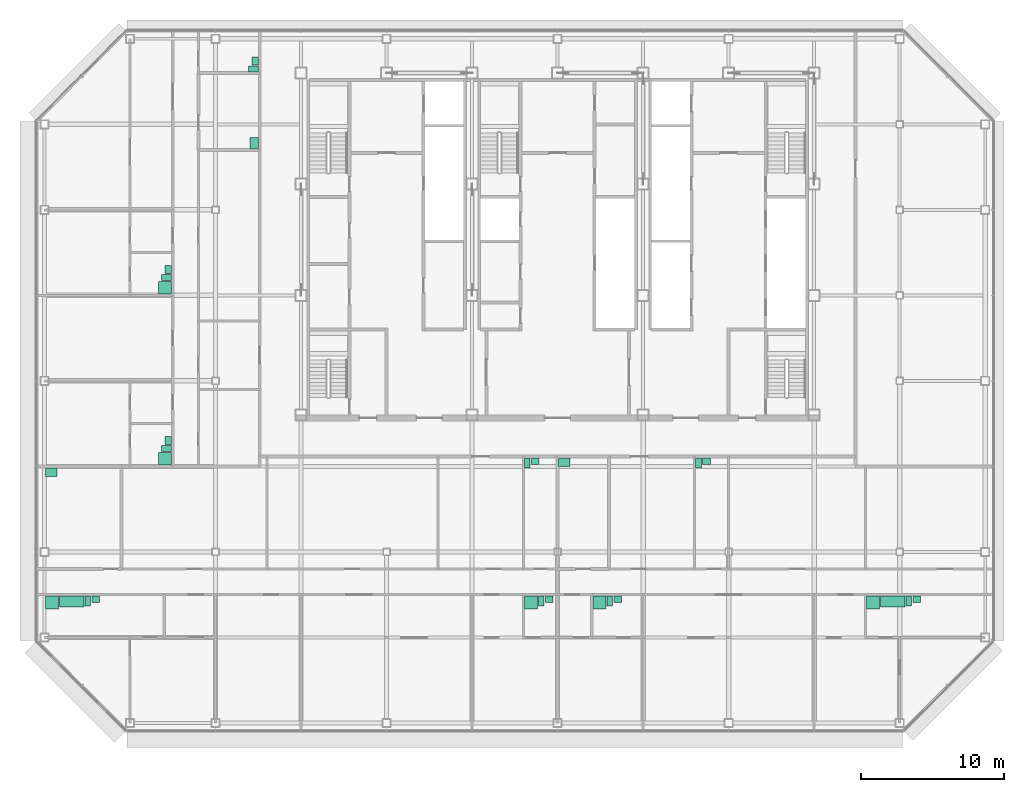
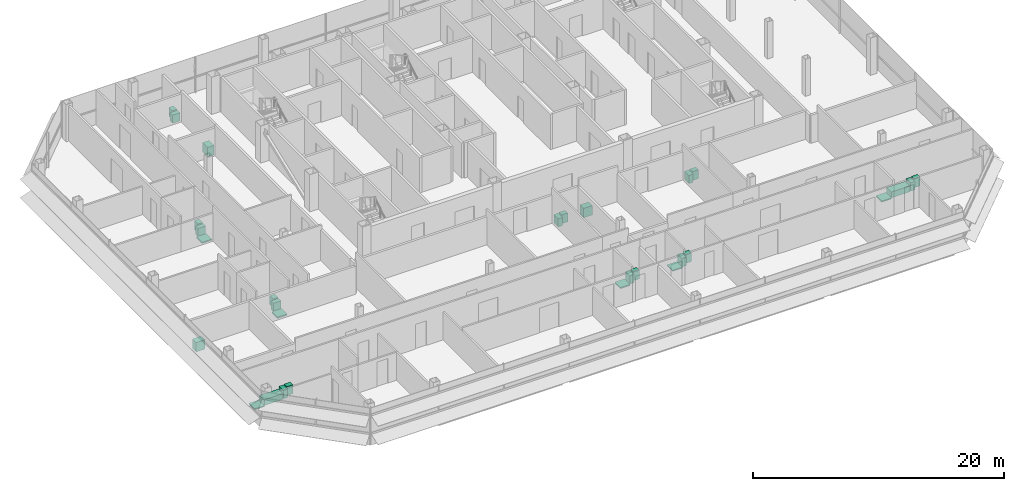
# One storey, part 28 of 28: 29 sanitary terminals.
"""IFC4 building model written with IfcOpenShell, lengths in metres."""

from ifc_helpers import new_model, si_unit, direction, frame, origin, origin_2d, place, context, subcontext, project, spatial, rectangle, extrude, element, save


model = new_model("IFC4")

# Units and contexts
model_context = context("Model", 3, precision=1e-05, world=origin(), true_north=direction((0.0, 1.0)))
body_context = subcontext(model_context, "Body", "Model", "MODEL_VIEW")
ifc_project = project(units=[si_unit("LENGTHUNIT", "METRE"), si_unit("AREAUNIT", "SQUARE_METRE"), si_unit("VOLUMEUNIT", "CUBIC_METRE"), si_unit("PLANEANGLEUNIT", "RADIAN"), si_unit("MASSUNIT", "GRAM", prefix="KILO")], contexts=[model_context])

# Site, building, storey
site_placement = place(None, origin())
site = spatial("IfcSite", under=ifc_project, at=site_placement, CompositionType="ELEMENT")
building_placement = place(site_placement, origin())
building = spatial("IfcBuilding", under=site, at=building_placement, Name="Sorahane Residences", CompositionType="ELEMENT")
storey_placement = place(building_placement, frame((0.0, 0.0, 270.199951171875)))
storey = spatial("IfcBuildingStorey", under=building, at=storey_placement, Name="L64", CompositionType="ELEMENT", Elevation=270.199951171875)

# Sanitary terminals
sanitary_terminal_1_placement = place(storey_placement, frame((-11.469970703125, 8.449951171875, 0.0), z_axis=(0.0, 0.0, 1.0), x_axis=(1.0, 0.0, 0.0)))
element("IfcSanitaryTerminal", 1, at=sanitary_terminal_1_placement, inside=storey, Name="Shower tray En-suite bathroom 64A", PredefinedType="SHOWER", context=body_context, shape_type="SweptSolid", body=[
    extrude(rectangle(XDim=0.89990234375, YDim=0.89990234375, at=origin_2d()), origin(), (0.0, 0.0, 1.0), 0.1201171875),
])
sanitary_terminal_2_placement = place(storey_placement, frame((-10.090087890625, 8.52490234375, 0.0), z_axis=(0.0, 0.0, 1.0), x_axis=(1.0, 0.0, 0.0)))
element("IfcSanitaryTerminal", 2, at=sanitary_terminal_2_placement, inside=storey, Name="Bath En-suite bathroom 64A", PredefinedType="BATH", context=body_context, shape_type="SweptSolid", body=[
    extrude(rectangle(XDim=1.699951171875, YDim=0.75, at=origin_2d()), origin(), (0.0, 0.0, 1.0), 0.56005859375),
])
sanitary_terminal_3_placement = place(storey_placement, frame((-8.9599609375, 8.550048828125, 0.0), z_axis=(0.0, 0.0, 1.0), x_axis=(1.0, 0.0, 0.0)))
element("IfcSanitaryTerminal", 3, at=sanitary_terminal_3_placement, inside=storey, Name="WC pan En-suite bathroom 64A", PredefinedType="TOILETPAN", context=body_context, shape_type="SweptSolid", body=[
    extrude(rectangle(XDim=0.39990234375, YDim=0.699951171875, at=origin_2d()), origin(), (0.0, 0.0, 1.0), 0.800048828125),
])
sanitary_terminal_4_placement = place(storey_placement, frame((-8.405029296875, 8.675048828125, 0.0), z_axis=(0.0, 0.0, 1.0), x_axis=(1.0, 0.0, 0.0)))
element("IfcSanitaryTerminal", 4, at=sanitary_terminal_4_placement, inside=storey, Name="Wash basin En-suite bathroom 64A", PredefinedType="WASHHANDBASIN", context=body_context, shape_type="SweptSolid", body=[
    extrude(rectangle(XDim=0.550048828125, YDim=0.449951171875, at=origin_2d()), origin(), (0.0, 0.0, 1.0), 0.85009765625),
])
sanitary_terminal_5_placement = place(storey_placement, frame((22.1298828125, 8.449951171875, 0.0), z_axis=(0.0, 0.0, 1.0), x_axis=(1.0, 0.0, 0.0)))
element("IfcSanitaryTerminal", 5, at=sanitary_terminal_5_placement, inside=storey, Name="Shower tray En-suite bathroom 64A-2", PredefinedType="SHOWER", context=body_context, shape_type="SweptSolid", body=[
    extrude(rectangle(XDim=0.89990234375, YDim=0.89990234375, at=origin_2d()), origin(), (0.0, 0.0, 1.0), 0.1201171875),
])
sanitary_terminal_6_placement = place(storey_placement, frame((22.860107421875, 8.550048828125, 0.0), z_axis=(0.0, 0.0, 1.0), x_axis=(1.0, 0.0, 0.0)))
element("IfcSanitaryTerminal", 6, at=sanitary_terminal_6_placement, inside=storey, Name="WC pan En-suite bathroom 64A-2", PredefinedType="TOILETPAN", context=body_context, shape_type="SweptSolid", body=[
    extrude(rectangle(XDim=0.39990234375, YDim=0.699951171875, at=origin_2d()), origin(), (0.0, 0.0, 1.0), 0.800048828125),
])
sanitary_terminal_7_placement = place(storey_placement, frame((23.4150390625, 8.675048828125, 0.0), z_axis=(0.0, 0.0, 1.0), x_axis=(1.0, 0.0, 0.0)))
element("IfcSanitaryTerminal", 7, at=sanitary_terminal_7_placement, inside=storey, Name="Wash basin En-suite bathroom 64A-2", PredefinedType="WASHHANDBASIN", context=body_context, shape_type="SweptSolid", body=[
    extrude(rectangle(XDim=0.550048828125, YDim=0.449951171875, at=origin_2d()), origin(), (0.0, 0.0, 1.0), 0.85009765625),
])
sanitary_terminal_8_placement = place(storey_placement, frame((-11.52001953125, 17.60009765625, 0.0), z_axis=(0.0, 0.0, 1.0), x_axis=(1.0, 0.0, 0.0)))
element("IfcSanitaryTerminal", 8, at=sanitary_terminal_8_placement, inside=storey, Name="Kitchen sink Kitchen 64A", PredefinedType="SINK", context=body_context, shape_type="SweptSolid", body=[
    extrude(rectangle(XDim=0.800048828125, YDim=0.60009765625, at=origin_2d()), origin(), (0.0, 0.0, 1.0), 0.89990234375),
])
sanitary_terminal_9_placement = place(storey_placement, frame((21.8798828125, 18.25, 0.0), z_axis=(0.0, 0.0, 1.0), x_axis=(1.0, 0.0, 0.0)))
element("IfcSanitaryTerminal", 9, at=sanitary_terminal_9_placement, inside=storey, Name="WC pan Guest WC 64A", PredefinedType="TOILETPAN", context=body_context, shape_type="SweptSolid", body=[
    extrude(rectangle(XDim=0.39990234375, YDim=0.699951171875, at=origin_2d()), origin(), (0.0, 0.0, 1.0), 0.800048828125),
])
sanitary_terminal_10_placement = place(storey_placement, frame((22.43505859375, 18.375, 0.0), z_axis=(0.0, 0.0, 1.0), x_axis=(1.0, 0.0, 0.0)))
element("IfcSanitaryTerminal", 10, at=sanitary_terminal_10_placement, inside=storey, Name="Wash basin Guest WC 64A", PredefinedType="WASHHANDBASIN", context=body_context, shape_type="SweptSolid", body=[
    extrude(rectangle(XDim=0.550048828125, YDim=0.449951171875, at=origin_2d()), origin(), (0.0, 0.0, 1.0), 0.85009765625),
])
sanitary_terminal_11_placement = place(storey_placement, frame((26.929931640625, 8.449951171875, 0.0), z_axis=(0.0, 0.0, 1.0), x_axis=(1.0, 0.0, 0.0)))
element("IfcSanitaryTerminal", 11, at=sanitary_terminal_11_placement, inside=storey, Name="Shower tray En-suite bathroom 64B", PredefinedType="SHOWER", context=body_context, shape_type="SweptSolid", body=[
    extrude(rectangle(XDim=0.89990234375, YDim=0.89990234375, at=origin_2d()), origin(), (0.0, 0.0, 1.0), 0.1201171875),
])
sanitary_terminal_12_placement = place(storey_placement, frame((27.659912109375, 8.550048828125, 0.0), z_axis=(0.0, 0.0, 1.0), x_axis=(1.0, 0.0, 0.0)))
element("IfcSanitaryTerminal", 12, at=sanitary_terminal_12_placement, inside=storey, Name="WC pan En-suite bathroom 64B", PredefinedType="TOILETPAN", context=body_context, shape_type="SweptSolid", body=[
    extrude(rectangle(XDim=0.39990234375, YDim=0.699951171875, at=origin_2d()), origin(), (0.0, 0.0, 1.0), 0.800048828125),
])
sanitary_terminal_13_placement = place(storey_placement, frame((28.215087890625, 8.675048828125, 0.0), z_axis=(0.0, 0.0, 1.0), x_axis=(1.0, 0.0, 0.0)))
element("IfcSanitaryTerminal", 13, at=sanitary_terminal_13_placement, inside=storey, Name="Wash basin En-suite bathroom 64B", PredefinedType="WASHHANDBASIN", context=body_context, shape_type="SweptSolid", body=[
    extrude(rectangle(XDim=0.550048828125, YDim=0.449951171875, at=origin_2d()), origin(), (0.0, 0.0, 1.0), 0.85009765625),
])
sanitary_terminal_14_placement = place(storey_placement, frame((46.1298828125, 8.449951171875, 0.0), z_axis=(0.0, 0.0, 1.0), x_axis=(1.0, 0.0, 0.0)))
element("IfcSanitaryTerminal", 14, at=sanitary_terminal_14_placement, inside=storey, Name="Shower tray En-suite bathroom 64B-2", PredefinedType="SHOWER", context=body_context, shape_type="SweptSolid", body=[
    extrude(rectangle(XDim=0.89990234375, YDim=0.89990234375, at=origin_2d()), origin(), (0.0, 0.0, 1.0), 0.1201171875),
])
sanitary_terminal_15_placement = place(storey_placement, frame((47.510009765625, 8.52490234375, 0.0), z_axis=(0.0, 0.0, 1.0), x_axis=(1.0, 0.0, 0.0)))
element("IfcSanitaryTerminal", 15, at=sanitary_terminal_15_placement, inside=storey, Name="Bath En-suite bathroom 64B-2", PredefinedType="BATH", context=body_context, shape_type="SweptSolid", body=[
    extrude(rectangle(XDim=1.699951171875, YDim=0.75, at=origin_2d()), origin(), (0.0, 0.0, 1.0), 0.56005859375),
])
sanitary_terminal_16_placement = place(storey_placement, frame((48.639892578125, 8.550048828125, 0.0), z_axis=(0.0, 0.0, 1.0), x_axis=(1.0, 0.0, 0.0)))
element("IfcSanitaryTerminal", 16, at=sanitary_terminal_16_placement, inside=storey, Name="WC pan En-suite bathroom 64B-2", PredefinedType="TOILETPAN", context=body_context, shape_type="SweptSolid", body=[
    extrude(rectangle(XDim=0.39990234375, YDim=0.699951171875, at=origin_2d()), origin(), (0.0, 0.0, 1.0), 0.800048828125),
])
sanitary_terminal_17_placement = place(storey_placement, frame((49.195068359375, 8.675048828125, 0.0), z_axis=(0.0, 0.0, 1.0), x_axis=(1.0, 0.0, 0.0)))
element("IfcSanitaryTerminal", 17, at=sanitary_terminal_17_placement, inside=storey, Name="Wash basin En-suite bathroom 64B-2", PredefinedType="WASHHANDBASIN", context=body_context, shape_type="SweptSolid", body=[
    extrude(rectangle(XDim=0.550048828125, YDim=0.449951171875, at=origin_2d()), origin(), (0.0, 0.0, 1.0), 0.85009765625),
])
sanitary_terminal_18_placement = place(storey_placement, frame((24.47998046875, 18.300048828125, 0.0), z_axis=(0.0, 0.0, 1.0), x_axis=(1.0, 0.0, 0.0)))
element("IfcSanitaryTerminal", 18, at=sanitary_terminal_18_placement, inside=storey, Name="Kitchen sink Kitchen 64B", PredefinedType="SINK", context=body_context, shape_type="SweptSolid", body=[
    extrude(rectangle(XDim=0.800048828125, YDim=0.60009765625, at=origin_2d()), origin(), (0.0, 0.0, 1.0), 0.89990234375),
])
sanitary_terminal_19_placement = place(storey_placement, frame((33.8798828125, 18.25, 0.0), z_axis=(0.0, 0.0, 1.0), x_axis=(1.0, 0.0, 0.0)))
element("IfcSanitaryTerminal", 19, at=sanitary_terminal_19_placement, inside=storey, Name="WC pan Guest WC 64B", PredefinedType="TOILETPAN", context=body_context, shape_type="SweptSolid", body=[
    extrude(rectangle(XDim=0.39990234375, YDim=0.699951171875, at=origin_2d()), origin(), (0.0, 0.0, 1.0), 0.800048828125),
])
sanitary_terminal_20_placement = place(storey_placement, frame((34.43505859375, 18.375, 0.0), z_axis=(0.0, 0.0, 1.0), x_axis=(1.0, 0.0, 0.0)))
element("IfcSanitaryTerminal", 20, at=sanitary_terminal_20_placement, inside=storey, Name="Wash basin Guest WC 64B", PredefinedType="WASHHANDBASIN", context=body_context, shape_type="SweptSolid", body=[
    extrude(rectangle(XDim=0.550048828125, YDim=0.449951171875, at=origin_2d()), origin(), (0.0, 0.0, 1.0), 0.85009765625),
])
sanitary_terminal_21_placement = place(storey_placement, frame((-3.550048828125, 18.530029296875, 0.0), z_axis=(0.0, 0.0, 1.0), x_axis=(0.0, -1.0, 0.0)))
element("IfcSanitaryTerminal", 21, at=sanitary_terminal_21_placement, inside=storey, Name="Shower tray En-suite bathroom 64C", PredefinedType="SHOWER", context=body_context, shape_type="SweptSolid", body=[
    extrude(rectangle(XDim=0.89990234375, YDim=0.89990234375, at=origin_2d()), origin(), (0.0, 0.0, 1.0), 0.1201171875),
])
sanitary_terminal_22_placement = place(storey_placement, frame((-3.449951171875, 19.260009765625, 0.0), z_axis=(0.0, 0.0, 1.0), x_axis=(0.0, -1.0, 0.0)))
element("IfcSanitaryTerminal", 22, at=sanitary_terminal_22_placement, inside=storey, Name="WC pan En-suite bathroom 64C", PredefinedType="TOILETPAN", context=body_context, shape_type="SweptSolid", body=[
    extrude(rectangle(XDim=0.39990234375, YDim=0.699951171875, at=origin_2d()), origin(), (0.0, 0.0, 1.0), 0.800048828125),
])
sanitary_terminal_23_placement = place(storey_placement, frame((-3.324951171875, 19.81494140625, 0.0), z_axis=(0.0, 0.0, 1.0), x_axis=(0.0, -1.0, 0.0)))
element("IfcSanitaryTerminal", 23, at=sanitary_terminal_23_placement, inside=storey, Name="Wash basin En-suite bathroom 64C", PredefinedType="WASHHANDBASIN", context=body_context, shape_type="SweptSolid", body=[
    extrude(rectangle(XDim=0.550048828125, YDim=0.449951171875, at=origin_2d()), origin(), (0.0, 0.0, 1.0), 0.85009765625),
])
sanitary_terminal_24_placement = place(storey_placement, frame((-3.550048828125, 30.530029296875, 0.0), z_axis=(0.0, 0.0, 1.0), x_axis=(0.0, -1.0, 0.0)))
element("IfcSanitaryTerminal", 24, at=sanitary_terminal_24_placement, inside=storey, Name="Shower tray En-suite bathroom 64C-2", PredefinedType="SHOWER", context=body_context, shape_type="SweptSolid", body=[
    extrude(rectangle(XDim=0.89990234375, YDim=0.89990234375, at=origin_2d()), origin(), (0.0, 0.0, 1.0), 0.1201171875),
])
sanitary_terminal_25_placement = place(storey_placement, frame((-3.449951171875, 31.260009765625, 0.0), z_axis=(0.0, 0.0, 1.0), x_axis=(0.0, -1.0, 0.0)))
element("IfcSanitaryTerminal", 25, at=sanitary_terminal_25_placement, inside=storey, Name="WC pan En-suite bathroom 64C-2", PredefinedType="TOILETPAN", context=body_context, shape_type="SweptSolid", body=[
    extrude(rectangle(XDim=0.39990234375, YDim=0.699951171875, at=origin_2d()), origin(), (0.0, 0.0, 1.0), 0.800048828125),
])
sanitary_terminal_26_placement = place(storey_placement, frame((-3.324951171875, 31.81494140625, 0.0), z_axis=(0.0, 0.0, 1.0), x_axis=(0.0, -1.0, 0.0)))
element("IfcSanitaryTerminal", 26, at=sanitary_terminal_26_placement, inside=storey, Name="Wash basin En-suite bathroom 64C-2", PredefinedType="WASHHANDBASIN", context=body_context, shape_type="SweptSolid", body=[
    extrude(rectangle(XDim=0.550048828125, YDim=0.449951171875, at=origin_2d()), origin(), (0.0, 0.0, 1.0), 0.85009765625),
])
sanitary_terminal_27_placement = place(storey_placement, frame((2.699951171875, 40.679931640625, 0.0), z_axis=(0.0, 0.0, 1.0), x_axis=(0.0, -1.0, 0.0)))
element("IfcSanitaryTerminal", 27, at=sanitary_terminal_27_placement, inside=storey, Name="Kitchen sink Kitchen 64C", PredefinedType="SINK", context=body_context, shape_type="SweptSolid", body=[
    extrude(rectangle(XDim=0.800048828125, YDim=0.60009765625, at=origin_2d()), origin(), (0.0, 0.0, 1.0), 0.89990234375),
])
sanitary_terminal_28_placement = place(storey_placement, frame((2.64990234375, 45.8798828125, 0.0), z_axis=(0.0, 0.0, 1.0), x_axis=(0.0, -1.0, 0.0)))
element("IfcSanitaryTerminal", 28, at=sanitary_terminal_28_placement, inside=storey, Name="WC pan Powder room 64C", PredefinedType="TOILETPAN", context=body_context, shape_type="SweptSolid", body=[
    extrude(rectangle(XDim=0.39990234375, YDim=0.699951171875, at=origin_2d()), origin(), (0.0, 0.0, 1.0), 0.800048828125),
])
sanitary_terminal_29_placement = place(storey_placement, frame((2.77490234375, 46.43505859375, 0.0), z_axis=(0.0, 0.0, 1.0), x_axis=(0.0, -1.0, 0.0)))
element("IfcSanitaryTerminal", 29, at=sanitary_terminal_29_placement, inside=storey, Name="Wash basin Powder room 64C", PredefinedType="WASHHANDBASIN", context=body_context, shape_type="SweptSolid", body=[
    extrude(rectangle(XDim=0.550048828125, YDim=0.449951171875, at=origin_2d()), origin(), (0.0, 0.0, 1.0), 0.85009765625),
])

save(model, "model.ifc")
